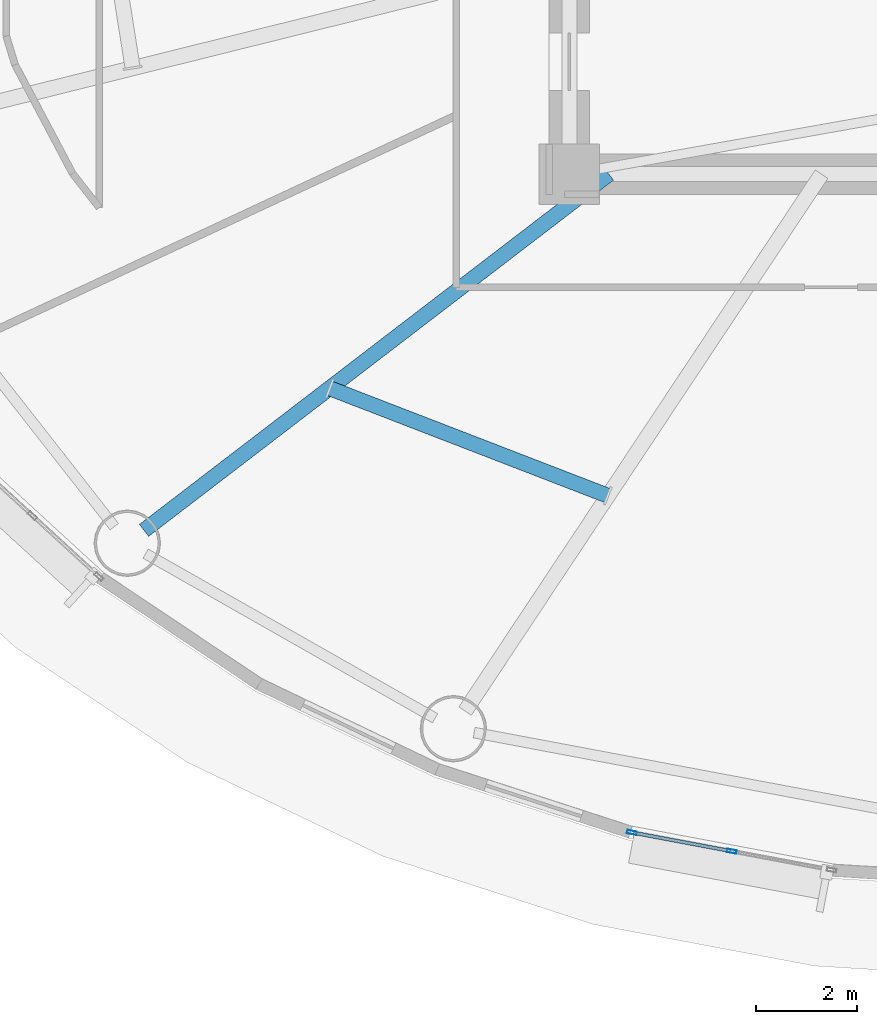
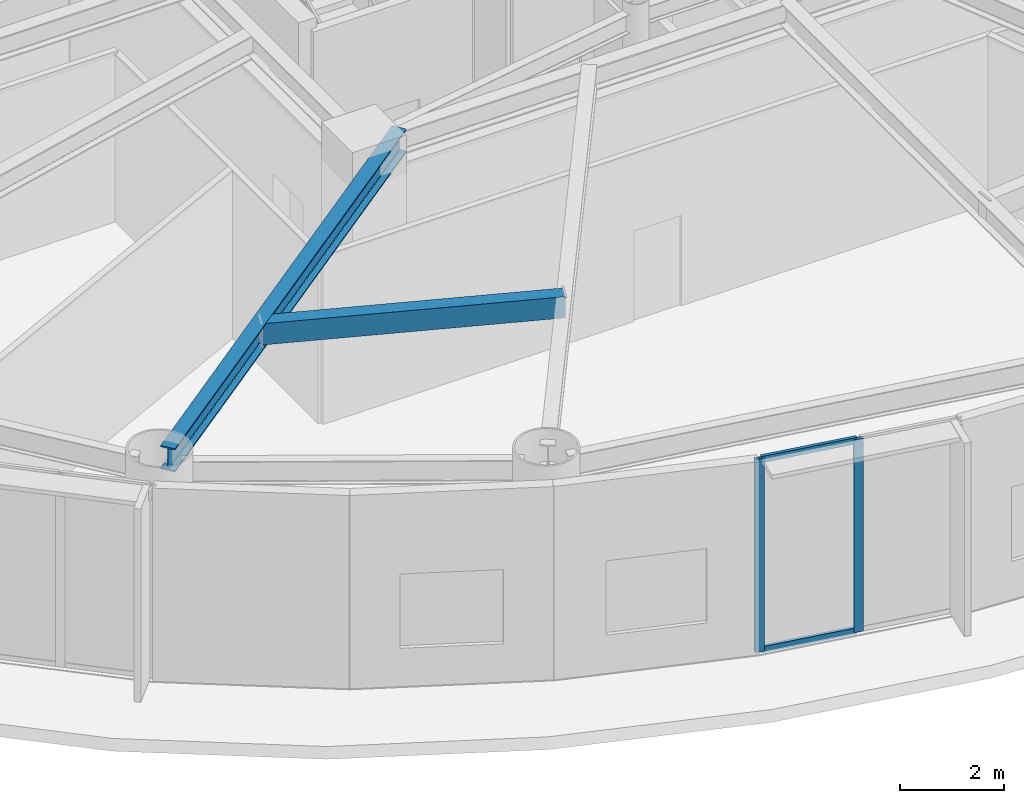
# One storey, part 5 of 38: 4 members, 2 beams, 1 element without a shape of its own.
"""IFC4 building model written with IfcOpenShell, lengths in metres."""

import ifcopenshell
import ifcopenshell.guid

model = None  # the IFC model being written
_history = None  # IfcOwnerHistory: only IFC2X3 demands one
_inside = {}  # id of a spatial element -> (the spatial element, [elements in it])
_under = {}  # id of a project, library or spatial element -> (it, [spatial elements below it])
_declared = {}  # id of a project -> (the project, [libraries it declares])
_typed = {}  # id of a type object -> (the type object, [elements of that type])
_made_of = {}  # id of a material, layer set ... -> (it, [elements and type objects made of it])


def new_model(schema):
    """Start an empty IFC model of exactly this schema.

    Asked for "IFC4X3", IfcOpenShell would pick the latest addendum, in which some entities
    have other attributes; the version numbers below select the first issue.
    IFC2X3 requires an IfcOwnerHistory on every rooted entity: one is made here for all.
    """
    global model, _history
    if schema == "IFC4X3":
        model = ifcopenshell.file(schema_version=(4, 3, 0, 0))
    else:
        model = ifcopenshell.file(schema=schema)
    _inside.clear()
    _under.clear()
    _declared.clear()
    _typed.clear()
    _made_of.clear()
    _history = None
    if model.schema == "IFC2X3":
        org = make("IfcOrganization", Name="unknown")
        user = make(
            "IfcPersonAndOrganization",
            ThePerson=make("IfcPerson", FamilyName="unknown"),
            TheOrganization=org,
        )
        app = make(
            "IfcApplication",
            ApplicationDeveloper=org,
            Version="unknown",
            ApplicationFullName="unknown",
            ApplicationIdentifier="unknown",
        )
        _history = make(
            "IfcOwnerHistory",
            OwningUser=user,
            OwningApplication=app,
            ChangeAction="ADDED",
            CreationDate=0,
        )
    return model


def make(cls, **values):
    """One entity of the class cls with the attributes given. An attribute that is None is left unset."""
    return model.create_entity(
        cls, **{name: value for name, value in values.items() if value is not None}
    )


def rooted(cls, **values):
    """An entity with a GlobalId (a new one), such as an element, a storey or a relation."""
    return make(cls, GlobalId=ifcopenshell.guid.new(), OwnerHistory=_history, **values)


def si_unit(unit_type, name, prefix=None):
    """IfcSIUnit, for example si_unit("LENGTHUNIT", "METRE", prefix="MILLI")."""
    return make("IfcSIUnit", UnitType=unit_type, Prefix=prefix, Name=name)


def assignment(units):
    """IfcUnitAssignment: the units of a project."""
    return None if units is None else make("IfcUnitAssignment", Units=units)


def point(xyz):
    """IfcCartesianPoint."""
    return None if xyz is None else make("IfcCartesianPoint", Coordinates=xyz)


def direction(xyz):
    """IfcDirection."""
    return None if xyz is None else make("IfcDirection", DirectionRatios=xyz)


def frame(location, z_axis=None, x_axis=None):
    """IfcAxis2Placement3D, a coordinate frame: its origin and axes. An axis left out is left unset."""
    return make(
        "IfcAxis2Placement3D",
        Location=point(location),
        Axis=direction(z_axis),
        RefDirection=direction(x_axis),
    )


def frame_2d(location, x_axis=None):
    """IfcAxis2Placement2D, a coordinate frame in the plane: its origin and x axis."""
    return make(
        "IfcAxis2Placement2D", Location=point(location), RefDirection=direction(x_axis)
    )


def origin():
    """The frame at (0, 0, 0) with its axes left unset."""
    return frame((0.0, 0.0, 0.0))


def origin_2d():
    """The frame at (0, 0) in the plane with its x axis left unset."""
    return frame_2d((0.0, 0.0))


def place(relative_to, where):
    """IfcLocalPlacement: puts the frame where relative to a parent placement (None: the world)."""
    return make(
        "IfcLocalPlacement", PlacementRelTo=relative_to, RelativePlacement=where
    )


def context(
    kind, dimensions, precision=None, world=None, true_north=None, identifier=None
):
    """IfcGeometricRepresentationContext, for example the 3D "Model" context."""
    return make(
        "IfcGeometricRepresentationContext",
        ContextIdentifier=identifier,
        ContextType=kind,
        CoordinateSpaceDimension=dimensions,
        Precision=precision,
        WorldCoordinateSystem=world,
        TrueNorth=true_north,
    )


def subcontext(parent, identifier, kind, view, scale=None):
    """IfcGeometricRepresentationSubContext, for example "Body" below "Model"."""
    return make(
        "IfcGeometricRepresentationSubContext",
        ContextIdentifier=identifier,
        ContextType=kind,
        ParentContext=parent,
        TargetScale=scale,
        TargetView=view,
    )


def project(units=None, contexts=None):
    """IfcProject with its units and contexts."""
    return rooted(
        "IfcProject",
        Name="project",
        RepresentationContexts=contexts,
        UnitsInContext=assignment(units),
    )


def spatial(cls, under=None, at=None, **own):
    """A site, building, storey or space (cls), placed at a placement, below another one or the project."""
    s = rooted(cls, ObjectPlacement=at, **own)
    if under is not None:
        _under.setdefault(under.id(), (under, []))[1].append(s)
    return s


def profile(cls, at=None, kind="AREA", **sizes):
    """A parametric profile (cls). Its sizes go by their IFC names, for example OverallWidth=200.0."""
    return make(cls, ProfileType=kind, Position=at, **sizes)


def hollow_rectangle(**sizes):
    """IfcRectangleHollowProfileDef."""
    return profile("IfcRectangleHollowProfileDef", **sizes)


def i_section(**sizes):
    """IfcIShapeProfileDef."""
    return profile("IfcIShapeProfileDef", **sizes)


def extrude(swept, where, along, depth):
    """IfcExtrudedAreaSolid: the profile swept, set in the frame where, extruded along a direction by depth."""
    return make(
        "IfcExtrudedAreaSolid",
        SweptArea=swept,
        Position=where,
        ExtrudedDirection=direction(along),
        Depth=depth,
    )


def shape(context_of_items, identifier, shape_type, items):
    """IfcShapeRepresentation: the items that make up one representation, for example the "Body"."""
    return make(
        "IfcShapeRepresentation",
        ContextOfItems=context_of_items,
        RepresentationIdentifier=identifier,
        RepresentationType=shape_type,
        Items=items,
    )


def source(mapping_origin, context_of_items, identifier, shape_type, items):
    """IfcRepresentationMap: a shape defined once, which mapped items show again and again."""
    return make(
        "IfcRepresentationMap",
        MappingOrigin=mapping_origin,
        MappedRepresentation=shape(context_of_items, identifier, shape_type, items),
    )


def transform(
    local_origin,
    x_axis=None,
    y_axis=None,
    z_axis=None,
    scale=None,
    scale2=None,
    scale3=None,
    uniform=True,
):
    """IfcCartesianTransformationOperator3D, or its non-uniform kind. x_axis, y_axis, z_axis: its Axis1, 2, 3."""
    if uniform:
        return make(
            "IfcCartesianTransformationOperator3D",
            Axis1=direction(x_axis),
            Axis2=direction(y_axis),
            LocalOrigin=point(local_origin),
            Scale=scale,
            Axis3=direction(z_axis),
        )
    return make(
        "IfcCartesianTransformationOperator3DnonUniform",
        Axis1=direction(x_axis),
        Axis2=direction(y_axis),
        LocalOrigin=point(local_origin),
        Scale=scale,
        Axis3=direction(z_axis),
        Scale2=scale2,
        Scale3=scale3,
    )


def mapped(mapping_source, mapping_target):
    """IfcMappedItem: shows the shape of a source again, moved by a transform."""
    return make(
        "IfcMappedItem", MappingSource=mapping_source, MappingTarget=mapping_target
    )


def material(Name=None, Category=None):
    """IfcMaterial."""
    return make("IfcMaterial", Name=Name, Category=Category)


def layer(
    of_material, thickness, ventilated=None, Name=None, Category=None, Priority=None
):
    """IfcMaterialLayer: one layer of a wall or slab, of a material (None: an air gap)."""
    return make(
        "IfcMaterialLayer",
        Material=of_material,
        LayerThickness=thickness,
        IsVentilated=ventilated,
        Name=Name,
        Category=Category,
        Priority=Priority,
    )


def layer_set(layers, Name=None):
    """IfcMaterialLayerSet."""
    return make("IfcMaterialLayerSet", MaterialLayers=layers, LayerSetName=Name)


def material_profile(
    of_material, cross_section, Name=None, Category=None, Priority=None
):
    """IfcMaterialProfile: a cross section and its material."""
    return make(
        "IfcMaterialProfile",
        Name=Name,
        Material=of_material,
        Profile=cross_section,
        Priority=Priority,
        Category=Category,
    )


def profile_set(profiles, Name=None, composite=None):
    """IfcMaterialProfileSet."""
    return make(
        "IfcMaterialProfileSet",
        Name=Name,
        MaterialProfiles=profiles,
        CompositeProfile=composite,
    )


def made_of(thing, what):
    """Note that an element or type object is made of a material, layer set ...; save() writes the relation."""
    if what is not None:
        _made_of.setdefault(what.id(), (what, []))[1].append(thing)
    return thing


def type_object(cls, material=None, **own):
    """A type object (cls), such as IfcWallType, which elements share."""
    return made_of(rooted(cls, **own), material)


def element(
    cls,
    number,
    at=None,
    inside=None,
    cuts=None,
    type_object=None,
    material=None,
    context=None,
    identifier="Body",
    shape_type=None,
    held_by="IfcProductDefinitionShape",
    body=None,
    shapes=None,
    **own,
):
    """One element of the class cls, such as IfcWall. Its Tag is "e" and its number.

    at: its placement. inside: the storey or other place that contains it. cuts: it is an
    opening in that element (IfcRelVoidsElement). A single representation is given by context,
    identifier, shape_type and body (its items); several are given by shapes. held_by: the class
    of the entity that holds the representations. save() writes the other relations.
    """
    e = rooted(cls, Tag="e%d" % number, ObjectPlacement=at, **own)
    if body is not None:
        shapes = [shape(context, identifier, shape_type, body)]
    if shapes is not None:
        e.Representation = make(held_by, Representations=shapes)
    if inside is not None:
        _inside.setdefault(inside.id(), (inside, []))[1].append(e)
    if cuts is not None:
        rooted(
            "IfcRelVoidsElement", RelatingBuildingElement=cuts, RelatedOpeningElement=e
        )
    if type_object is not None:
        _typed.setdefault(type_object.id(), (type_object, []))[1].append(e)
    return made_of(e, material)


def aggregate(whole, parts):
    """IfcRelAggregates: a whole, such as a stair, and the parts it consists of."""
    return rooted("IfcRelAggregates", RelatingObject=whole, RelatedObjects=parts)


def save(model, path):
    """Write the relations noted so far, then the file.

    IfcRelAggregates (storeys below a building ...), IfcRelContainedInSpatialStructure (elements
    in a storey), IfcRelDefinesByType, IfcRelAssociatesMaterial and IfcRelDeclares: one each for
    every whole, place, type object, material and project.
    """
    for whole, parts in _under.values():
        aggregate(whole, parts)
    for where, things in _inside.values():
        rooted(
            "IfcRelContainedInSpatialStructure",
            RelatedElements=things,
            RelatingStructure=where,
        )
    for kind, things in _typed.values():
        rooted("IfcRelDefinesByType", RelatedObjects=things, RelatingType=kind)
    for what, things in _made_of.values():
        rooted("IfcRelAssociatesMaterial", RelatedObjects=things, RelatingMaterial=what)
    for by, libraries in _declared.values():
        rooted("IfcRelDeclares", RelatingContext=by, RelatedDefinitions=libraries)
    model.write(path)


model = new_model("IFC4")

# Units and contexts
model_context = context("Model", 3, precision=1e-05, world=origin(), true_north=direction((0.0, 1.0)))
body_context = subcontext(model_context, "Body", "Model", "MODEL_VIEW")
ifc_project = project(units=[si_unit("LENGTHUNIT", "METRE"), si_unit("AREAUNIT", "SQUARE_METRE"), si_unit("VOLUMEUNIT", "CUBIC_METRE"), si_unit("PLANEANGLEUNIT", "RADIAN"), si_unit("MASSUNIT", "GRAM", prefix="KILO")], contexts=[model_context])

# Site, building, storey
site_placement = place(None, origin())
site = spatial("IfcSite", under=ifc_project, at=site_placement, CompositionType="ELEMENT")
building_placement = place(site_placement, origin())
building = spatial("IfcBuilding", under=site, at=building_placement, Name="Linh Dai School and Residence Tower", CompositionType="ELEMENT")
storey_placement = place(building_placement, frame((0.0, 0.0, 151.35009765625)))
storey = spatial("IfcBuildingStorey", under=building, at=storey_placement, Name="L36", CompositionType="ELEMENT", Elevation=151.35009765625)

# Beams
ifc_material_1 = material(Name="Structural Steel S355JR", Category="steel")
ifc_material_profile_1 = material_profile(ifc_material_1, hollow_rectangle(XDim=0.300048828125, YDim=0.5, WallThickness=0.01611328125, at=origin_2d()), Name="RHS 500x300x16")
ifc_profile_set_1 = profile_set([ifc_material_profile_1], Name="Structural Steel S355JR")
beam_type_1 = type_object("IfcBeamType", Name="BM-BX5", PredefinedType="BEAM", material=ifc_profile_set_1)
beam_1_placement = place(storey_placement, frame((21.8359375, 16.139892578125, 4.2998046875), z_axis=(0.932827710026, -0.360322721193, 0.0), x_axis=(0.360322721193, 0.932827710026, 0.0)))
element("IfcBeam", 1, at=beam_1_placement, inside=storey, type_object=beam_type_1, Name="L36 Secondary Circumferential Floor Beam 06", PredefinedType="BEAM", context=body_context, shape_type="SweptSolid", body=[
    extrude(hollow_rectangle(XDim=0.300048828125, YDim=0.5, WallThickness=0.01611328125, at=origin_2d()), origin(), (0.0, 0.0, 1.0), 5.927978515625),
])
ifc_material_profile_2 = material_profile(ifc_material_1, i_section(OverallWidth=0.300048828125, OverallDepth=0.550048828125, WebThickness=0.014892578125, FlangeThickness=0.029052734375, FilletRadius=0.027099609375, at=origin_2d()), Name="HEB 550")
ifc_profile_set_2 = profile_set([ifc_material_profile_2], Name="Structural Steel S355JR")
beam_type_2 = type_object("IfcBeamType", Name="BM-RG55", PredefinedType="BEAM", material=ifc_profile_set_2)
beam_2_placement = place(storey_placement, frame((27.3876953125, 20.39990234375, 4.27490234375), z_axis=(-0.793732831925, -0.608266546445, 0.0), x_axis=(0.608266546445, -0.793732831925, 0.0)))
element("IfcBeam", 2, at=beam_2_placement, inside=storey, type_object=beam_type_2, Name="L36 Primary Radial Floor Girder 11", PredefinedType="BEAM", context=body_context, shape_type="SweptSolid", body=[
    extrude(i_section(OverallWidth=0.300048828125, OverallDepth=0.550048828125, WebThickness=0.014892578125, FlangeThickness=0.029052734375, FilletRadius=0.027099609375, at=origin_2d()), origin(), (0.0, 0.0, 1.0), 11.64990234375),
])

# Curtain wall, members
ifc_material_2 = material(Name="Aluminium Anodised Curtain Wall", Category="aluminium")
ifc_layer = layer(ifc_material_2, 0.18994140625)
ifc_layer_set = layer_set([ifc_layer], Name="Aluminium Anodised Curtain Wall")
curtain_wall_type = type_object("IfcCurtainWallType", Name="CW-SYS-5", PredefinedType="USERDEFINED", material=ifc_layer_set)
curtain_wall_placement = place(storey_placement, origin())
curtain_wall = element("IfcCurtainWall", 3, at=curtain_wall_placement, inside=storey, type_object=curtain_wall_type, Name="L36 CW5 Curtain Wall 29", ObjectType="UNITISED CURTAIN WALL", PredefinedType="USERDEFINED")
ifc_material_3 = material(Name="Aluminium Alloy 6063-T6", Category="aluminium")
ifc_material_profile_3 = material_profile(ifc_material_3, hollow_rectangle(XDim=0.070068359375, YDim=0.18994140625, WallThickness=0.00390625, at=origin_2d()), Name="RHS 190x70x4")
ifc_profile_set_3 = profile_set([ifc_material_profile_3], Name="Aluminium Alloy 6063-T6")
member_type_1 = type_object("IfcMemberType", Name="CW-SYS-5-MUL", PredefinedType="MULLION", material=ifc_profile_set_3)
shared_shape_1 = source(origin(), body_context, "Body", "SweptSolid", [
    extrude(hollow_rectangle(XDim=0.070068359375, YDim=0.18994140625, WallThickness=0.00390625, at=origin_2d()), origin(), (0.0, 0.0, 1.0), 4.5498046875),
])
member_1_placement = place(storey_placement, frame((29.83251953125, 6.9306640625, 0.0), z_axis=(0.0, 0.0, 1.0), x_axis=(-0.184762540184, -0.982783192645, 0.0)))
member_1 = element("IfcMember", 4, at=member_1_placement, type_object=member_type_1, Name="CW5 mullion 2", PredefinedType="MULLION", context=body_context, shape_type="MappedRepresentation", body=[
    mapped(shared_shape_1, transform((0.0, 0.0, 0.0), x_axis=(1.0, 0.0, 0.0), y_axis=(0.0, 1.0, 0.0), z_axis=(0.0, 0.0, 1.0), scale=1.0)),
])
member_2_placement = place(storey_placement, frame((27.845458984375, 7.30419921875, 0.0), z_axis=(0.0, 0.0, 1.0), x_axis=(-0.184762540184, -0.982783192645, 0.0)))
member_2 = element("IfcMember", 5, at=member_2_placement, type_object=member_type_1, Name="CW5 mullion 3", PredefinedType="MULLION", context=body_context, shape_type="MappedRepresentation", body=[
    mapped(shared_shape_1, transform((0.0, 0.0, 0.0), x_axis=(1.0, 0.0, 0.0), y_axis=(0.0, 1.0, 0.0), z_axis=(0.0, 0.0, 1.0), scale=1.0)),
])
ifc_material_profile_4 = material_profile(ifc_material_3, hollow_rectangle(XDim=0.070068359375, YDim=0.14990234375, WallThickness=0.00390625, at=origin_2d()), Name="RHS 150x70x4")
ifc_profile_set_4 = profile_set([ifc_material_profile_4], Name="Aluminium Alloy 6063-T6")
member_type_2 = type_object("IfcMemberType", Name="CW-SYS-5-TRN", PredefinedType="USERDEFINED", material=ifc_profile_set_4)
shared_shape_2 = source(origin(), body_context, "Body", "SweptSolid", [
    extrude(hollow_rectangle(XDim=0.070068359375, YDim=0.14990234375, WallThickness=0.00390625, at=origin_2d()), origin(), (0.0, 0.0, 1.0), 1.951904296875),
])
member_3_placement = place(storey_placement, frame((29.798095703125, 6.93701171875, 0.034912109375), z_axis=(-0.982785700144, 0.184749201873, 0.0), x_axis=(-0.184749201873, -0.982785700144, 0.0)))
member_3 = element("IfcMember", 6, at=member_3_placement, type_object=member_type_2, Name="CW5 transom 2.1", ObjectType="TRANSOM", PredefinedType="USERDEFINED", context=body_context, shape_type="MappedRepresentation", body=[
    mapped(shared_shape_2, transform((0.0, 0.0, 0.0), x_axis=(1.0, 0.0, 0.0), y_axis=(0.0, 1.0, 0.0), z_axis=(0.0, 0.0, 1.0), scale=1.0)),
])
member_4_placement = place(storey_placement, frame((29.798095703125, 6.93701171875, 4.514892578125), z_axis=(-0.982785700144, 0.184749201873, 0.0), x_axis=(-0.184749201873, -0.982785700144, 0.0)))
member_4 = element("IfcMember", 7, at=member_4_placement, type_object=member_type_2, Name="CW5 transom 2.2", ObjectType="TRANSOM", PredefinedType="USERDEFINED", context=body_context, shape_type="MappedRepresentation", body=[
    mapped(shared_shape_2, transform((0.0, 0.0, 0.0), x_axis=(1.0, 0.0, 0.0), y_axis=(0.0, 1.0, 0.0), z_axis=(0.0, 0.0, 1.0), scale=1.0)),
])
aggregate(curtain_wall, [member_1, member_2, member_3, member_4])

save(model, "model.ifc")
